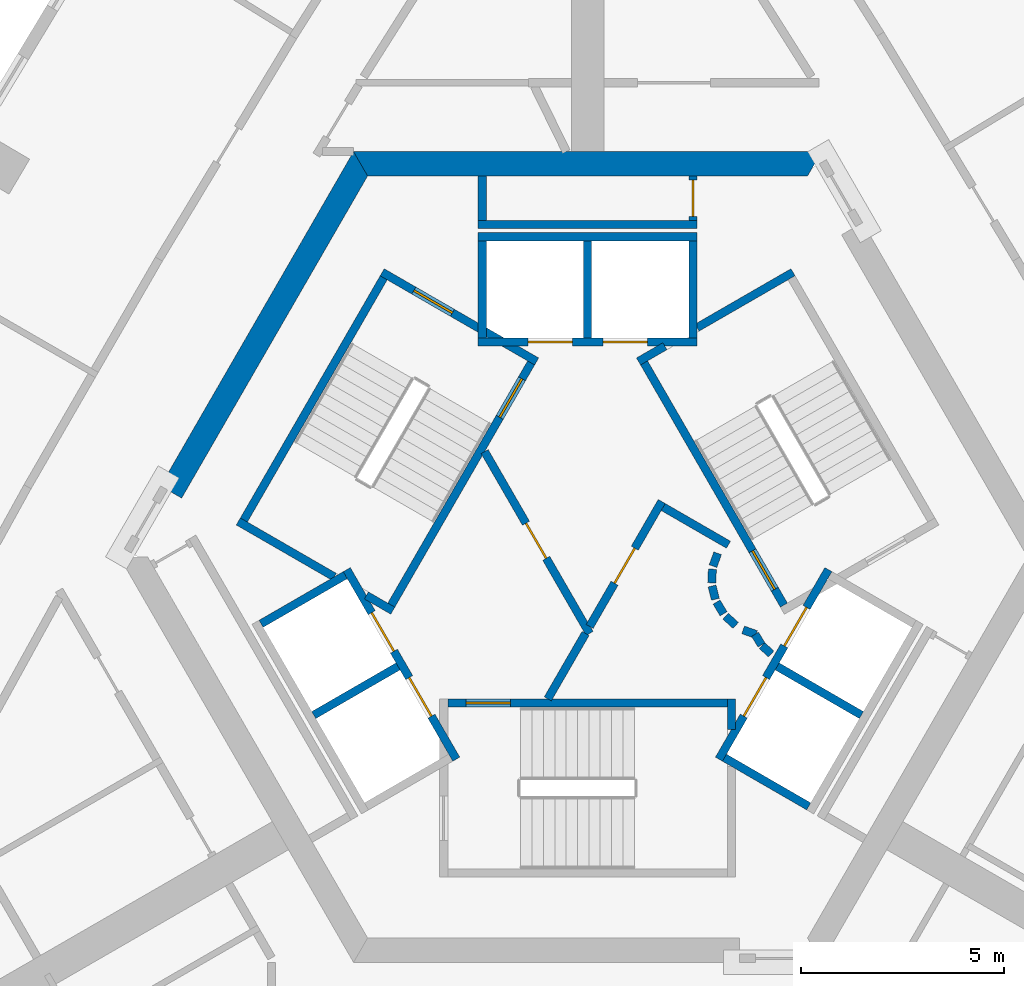
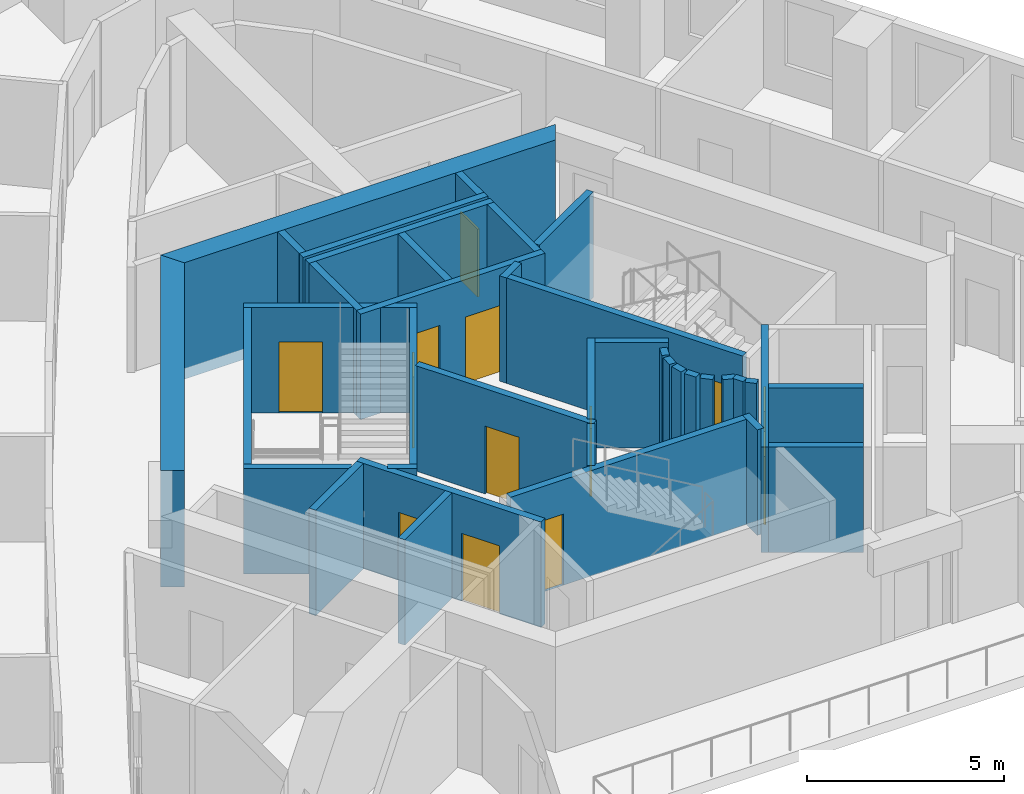
# One storey, part 5 of 11: 38 walls, 13 doors, 13 openings.
"""IFC4 building model written with IfcOpenShell, lengths in metres."""

from ifc_helpers import new_model, si_unit, direction, frame, frame_2d, origin, place, context, subcontext, project, spatial, polyline, rectangle, outline, extrude, material, layer, layer_set, type_object, element, fill, save


model = new_model("IFC4")

# Units and contexts
model_context = context("Model", 3, precision=1e-05, world=origin(), true_north=direction((0.0, 1.0)))
body_context = subcontext(model_context, "Body", "Model", "MODEL_VIEW")
ifc_project = project(units=[si_unit("LENGTHUNIT", "METRE"), si_unit("AREAUNIT", "SQUARE_METRE"), si_unit("VOLUMEUNIT", "CUBIC_METRE"), si_unit("PLANEANGLEUNIT", "RADIAN"), si_unit("MASSUNIT", "GRAM", prefix="KILO")], contexts=[model_context])

# Site, building, storey
site_placement = place(None, origin())
site = spatial("IfcSite", under=ifc_project, at=site_placement, CompositionType="ELEMENT")
building_placement = place(site_placement, origin())
building = spatial("IfcBuilding", under=site, at=building_placement, Name="Entoto Arch Interchange Tower", CompositionType="ELEMENT")
storey_placement = place(building_placement, frame((0.0, 0.0, 248.60009765625)))
storey = spatial("IfcBuildingStorey", under=building, at=storey_placement, Name="L56", CompositionType="ELEMENT", Elevation=248.60009765625)

# Walls
ifc_material_1 = material(Name="Concrete C40/50", Category="concrete")
ifc_layer_1 = layer(ifc_material_1, 0.60009765625)
ifc_layer_set_1 = layer_set([ifc_layer_1], Name="Concrete C40/50")
wall_type_1 = type_object("IfcWallType", Name="Core wall 600 C40/50", PredefinedType="SHEAR", material=ifc_layer_set_1)
wall_1_placement = place(storey_placement, frame((0.0, 0.0, -0.340087890625)))
element("IfcWall", 1, at=wall_1_placement, inside=storey, type_object=wall_type_1, Name="Core wall N L56", PredefinedType="SHEAR", context=body_context, shape_type="SweptSolid", body=[
    extrude(outline(polyline([(5.77392578125, 12.5), (-5.77392578125, 12.5), (-5.427001953125, 11.89990234375), (5.427001953125, 11.89990234375), (5.77392578125, 12.5)])), origin(), (0.0, 0.0, 1.0), 3.60009765625),
])
wall_2_placement = place(storey_placement, frame((0.0, 0.0, -0.340087890625)))
element("IfcWall", 2, at=wall_2_placement, inside=storey, type_object=wall_type_1, Name="Core wall NW L56", PredefinedType="SHEAR", context=body_context, shape_type="SweptSolid", body=[
    extrude(outline(polyline([(-10.534912109375, 4.2529296875), (-10.014892578125, 3.952880859375), (-5.427001953125, 11.89990234375), (-5.77392578125, 12.5), (-10.534912109375, 4.2529296875)])), origin(), (0.0, 0.0, 1.0), 3.60009765625),
])

# Wall, openings, doors
ifc_layer_2 = layer(ifc_material_1, 0.199951171875)
ifc_layer_set_2 = layer_set([ifc_layer_2], Name="Concrete C40/50")
wall_type_2 = type_object("IfcWallType", Name="LIFT SHAFT WALL 200", PredefinedType="STANDARD", material=ifc_layer_set_2)
wall_3_placement = place(storey_placement, frame((2.699951171875, 7.800048828125, 0.0), z_axis=(0.0, 0.0, 1.0), x_axis=(-1.0, 0.0, 0.0)))
wall_3 = element("IfcWall", 3, at=wall_3_placement, inside=storey, type_object=wall_type_2, Name="Shaft wall N1 front", PredefinedType="STANDARD", context=body_context, shape_type="SweptSolid", body=[
    extrude(rectangle(XDim=5.39990234375, YDim=0.199951171875, at=frame_2d((2.699951171875, 0.0))), origin(), (0.0, 0.0, 1.0), 3.260009765625),
])
opening_1_placement = place(wall_3_placement, frame((1.22509765625, 0.0, 0.0)))
opening_1 = element("IfcOpeningElement", 4, at=opening_1_placement, cuts=wall_3, Name="Opening LD-HR1-L56", PredefinedType="OPENING", context=body_context, shape_type="SweptSolid", body=[
    extrude(rectangle(XDim=1.10009765625, YDim=2.10009765625, at=frame_2d((0.550048828125, 1.050048828125))), frame((0.0, 0.10986328125, 0.0), z_axis=(0.0, -1.0, 0.0), x_axis=(1.0, 0.0, 0.0)), (0.0, 0.0, 1.0), 0.219970703125),
])
opening_2_placement = place(wall_3_placement, frame((3.074951171875, 0.0, 0.0)))
opening_2 = element("IfcOpeningElement", 5, at=opening_2_placement, cuts=wall_3, Name="Opening LD-HR2-L56", PredefinedType="OPENING", context=body_context, shape_type="SweptSolid", body=[
    extrude(rectangle(XDim=1.10009765625, YDim=2.10009765625, at=frame_2d((0.550048828125, 1.050048828125))), frame((0.0, 0.10986328125, 0.0), z_axis=(0.0, -1.0, 0.0), x_axis=(1.0, 0.0, 0.0)), (0.0, 0.0, 1.0), 0.219970703125),
])
ifc_material_2 = material(Name="Stainless steel 1.4301 panels", Category="steel")
door_type_1 = type_object("IfcDoorType", Name="LIFT LANDING DOOR LD1 1100x2100", OperationType="SLIDING_TO_LEFT", PredefinedType="DOOR", material=ifc_material_2)
door_1_placement = place(opening_1_placement, origin())
door_1 = element("IfcDoor", 6, at=door_1_placement, inside=storey, type_object=door_type_1, Name="Lift landing door HR1 L56", OperationType="SLIDING_TO_LEFT", OverallHeight=2.10009765625, OverallWidth=1.10009765625, PredefinedType="DOOR", context=body_context, shape_type="SweptSolid", body=[
    extrude(rectangle(XDim=1.10009765625, YDim=2.10009765625, at=frame_2d((0.550048828125, 1.050048828125))), frame((0.0, 0.02490234375, 0.0), z_axis=(0.0, -1.0, 0.0), x_axis=(1.0, 0.0, 0.0)), (0.0, 0.0, 1.0), 0.050048828125),
])
fill(opening_1, door_1)
door_2_placement = place(opening_2_placement, origin())
door_2 = element("IfcDoor", 7, at=door_2_placement, inside=storey, type_object=door_type_1, Name="Lift landing door HR2 L56", OperationType="SLIDING_TO_LEFT", OverallHeight=2.10009765625, OverallWidth=1.10009765625, PredefinedType="DOOR", context=body_context, shape_type="SweptSolid", body=[
    extrude(rectangle(XDim=1.10009765625, YDim=2.10009765625, at=frame_2d((0.550048828125, 1.050048828125))), frame((0.0, 0.02490234375, 0.0), z_axis=(0.0, -1.0, 0.0), x_axis=(1.0, 0.0, 0.0)), (0.0, 0.0, 1.0), 0.050048828125),
])
fill(opening_2, door_2)

# Walls
wall_4_placement = place(storey_placement, frame((2.699951171875, 10.39990234375, 0.0), z_axis=(0.0, 0.0, 1.0), x_axis=(-1.0, 0.0, 0.0)))
element("IfcWall", 8, at=wall_4_placement, inside=storey, type_object=wall_type_2, Name="Shaft wall N1 back", PredefinedType="STANDARD", context=body_context, shape_type="SweptSolid", body=[
    extrude(rectangle(XDim=5.39990234375, YDim=0.199951171875, at=frame_2d((2.699951171875, 0.0))), origin(), (0.0, 0.0, 1.0), 3.260009765625),
])
for number, where, z_axis, x_axis, name in (
    (9, (2.60009765625, 7.89990234375, 0.0), (0.0, 0.0, 1.0), (0.0, 1.0, 0.0), "Shaft wall N1 cross 1"),
    (10, (0.0, 7.89990234375, 0.0), (0.0, 0.0, 1.0), (0.0, 1.0, 0.0), "Shaft wall N1 cross 2"),
    (11, (-2.60009765625, 7.89990234375, 0.0), (0.0, 0.0, 1.0), (0.0, 1.0, 0.0), "Shaft wall N1 cross 3"),
):
    element("IfcWall", number, at=place(storey_placement, frame(where, z_axis=z_axis, x_axis=x_axis)), inside=storey, type_object=wall_type_2, Name=name, PredefinedType="STANDARD", context=body_context, shape_type="SweptSolid", body=[
        extrude(rectangle(XDim=2.400146484375, YDim=0.199951171875, at=frame_2d((1.2001953125, 0.0))), origin(), (0.0, 0.0, 1.0), 3.260009765625),
    ])

# Wall, openings, doors
wall_5_placement = place(storey_placement, frame((-5.93994140625, 2.18798828125, 0.0), z_axis=(0.0, 0.0, 1.0), x_axis=(0.500034260056, -0.866005622828, 0.0)))
wall_5 = element("IfcWall", 12, at=wall_5_placement, inside=storey, type_object=wall_type_2, Name="Shaft wall SW1 front", PredefinedType="STANDARD", context=body_context, shape_type="SweptSolid", body=[
    extrude(rectangle(XDim=5.3994140625, YDim=0.199951171875, at=frame_2d((2.69970703125, 0.0))), origin(), (0.0, 0.0, 1.0), 3.260009765625),
])
opening_3_placement = place(wall_5_placement, frame((3.074951171875, 0.0, 0.0)))
opening_3 = element("IfcOpeningElement", 13, at=opening_3_placement, cuts=wall_5, Name="Opening LD-HR4-L56", PredefinedType="OPENING", context=body_context, shape_type="SweptSolid", body=[
    extrude(rectangle(XDim=1.10009765625, YDim=2.10009765625, at=frame_2d((0.550048828125, 1.050048828125))), frame((0.0, 0.10986328125, 0.0), z_axis=(0.0, -1.0, 0.0), x_axis=(1.0, 0.0, 0.0)), (0.0, 0.0, 1.0), 0.219970703125),
])
opening_4_placement = place(wall_5_placement, frame((1.22509765625, 0.0, 0.0)))
opening_4 = element("IfcOpeningElement", 14, at=opening_4_placement, cuts=wall_5, Name="Opening LD-FF2-L56", PredefinedType="OPENING", context=body_context, shape_type="SweptSolid", body=[
    extrude(rectangle(XDim=1.10009765625, YDim=2.10009765625, at=frame_2d((0.550048828125, 1.050048828125))), frame((0.0, 0.10986328125, 0.0), z_axis=(0.0, -1.0, 0.0), x_axis=(1.0, 0.0, 0.0)), (0.0, 0.0, 1.0), 0.219970703125),
])
door_3_placement = place(opening_3_placement, origin())
door_3 = element("IfcDoor", 15, at=door_3_placement, inside=storey, type_object=door_type_1, Name="Lift landing door HR4 L56", OperationType="SLIDING_TO_LEFT", OverallHeight=2.10009765625, OverallWidth=1.10009765625, PredefinedType="DOOR", context=body_context, shape_type="SweptSolid", body=[
    extrude(rectangle(XDim=1.10009765625, YDim=2.10009765625, at=frame_2d((0.550048828125, 1.050048828125))), frame((0.0, 0.02490234375, 0.0), z_axis=(0.0, -1.0, 0.0), x_axis=(1.0, 0.0, 0.0)), (0.0, 0.0, 1.0), 0.050048828125),
])
fill(opening_3, door_3)
door_4_placement = place(opening_4_placement, origin())
door_4 = element("IfcDoor", 16, at=door_4_placement, inside=storey, type_object=door_type_1, Name="Lift landing door FF2 L56", OperationType="SLIDING_TO_LEFT", OverallHeight=2.10009765625, OverallWidth=1.10009765625, PredefinedType="DOOR", context=body_context, shape_type="SweptSolid", body=[
    extrude(rectangle(XDim=1.10009765625, YDim=2.10009765625, at=frame_2d((0.550048828125, 1.050048828125))), frame((0.0, 0.02490234375, 0.0), z_axis=(0.0, -1.0, 0.0), x_axis=(1.0, 0.0, 0.0)), (0.0, 0.0, 1.0), 0.050048828125),
])
fill(opening_4, door_4)

# Walls
for number, where, z_axis, x_axis, name in (
    (17, (-5.97705078125, 2.052001953125, 0.0), (0.0, 0.0, 1.0), (-0.865973769406, -0.500089422704, 0.0), "Shaft wall SW1 cross 1"),
    (18, (-4.677001953125, -0.199951171875, 0.0), (0.0, 0.0, 1.0), (-0.865973769406, -0.500089422704, 0.0), "Shaft wall SW1 cross 2"),
):
    element("IfcWall", number, at=place(storey_placement, frame(where, z_axis=z_axis, x_axis=x_axis)), inside=storey, type_object=wall_type_2, Name=name, PredefinedType="STANDARD", context=body_context, shape_type="SweptSolid", body=[
        extrude(rectangle(XDim=2.3994140625, YDim=0.199951171875, at=frame_2d((1.19970703125, 0.0))), origin(), (0.0, 0.0, 1.0), 3.260009765625),
    ])

# Wall, openings, doors
wall_6_placement = place(storey_placement, frame((3.239990234375, -2.488037109375, 0.0), z_axis=(0.0, 0.0, 1.0), x_axis=(0.500034260056, 0.866005622828, 0.0)))
wall_6 = element("IfcWall", 19, at=wall_6_placement, inside=storey, type_object=wall_type_2, Name="Shaft wall SE1 front", PredefinedType="STANDARD", context=body_context, shape_type="SweptSolid", body=[
    extrude(rectangle(XDim=5.3994140625, YDim=0.199951171875, at=frame_2d((2.69970703125, 0.0))), origin(), (0.0, 0.0, 1.0), 3.260009765625),
])
opening_5_placement = place(wall_6_placement, frame((3.22509765625, 0.0, 0.0)))
opening_5 = element("IfcOpeningElement", 20, at=opening_5_placement, cuts=wall_6, Name="Opening LD-HR3-L56", PredefinedType="OPENING", context=body_context, shape_type="SweptSolid", body=[
    extrude(rectangle(XDim=1.10009765625, YDim=2.10009765625, at=frame_2d((0.550048828125, 1.050048828125))), frame((0.0, 0.10986328125, 0.0), z_axis=(0.0, -1.0, 0.0), x_axis=(1.0, 0.0, 0.0)), (0.0, 0.0, 1.0), 0.219970703125),
])
opening_6_placement = place(wall_6_placement, frame((1.22509765625, 0.0, 0.0)))
opening_6 = element("IfcOpeningElement", 21, at=opening_6_placement, cuts=wall_6, Name="Opening LD-FF1-L56", PredefinedType="OPENING", context=body_context, shape_type="SweptSolid", body=[
    extrude(rectangle(XDim=1.10009765625, YDim=2.10009765625, at=frame_2d((0.550048828125, 1.050048828125))), frame((0.0, 0.10986328125, 0.0), z_axis=(0.0, -1.0, 0.0), x_axis=(1.0, 0.0, 0.0)), (0.0, 0.0, 1.0), 0.219970703125),
])
door_5_placement = place(opening_5_placement, origin())
door_5 = element("IfcDoor", 22, at=door_5_placement, inside=storey, type_object=door_type_1, Name="Lift landing door HR3 L56", OperationType="SLIDING_TO_LEFT", OverallHeight=2.10009765625, OverallWidth=1.10009765625, PredefinedType="DOOR", context=body_context, shape_type="SweptSolid", body=[
    extrude(rectangle(XDim=1.10009765625, YDim=2.10009765625, at=frame_2d((0.550048828125, 1.050048828125))), frame((0.0, 0.02490234375, 0.0), z_axis=(0.0, -1.0, 0.0), x_axis=(1.0, 0.0, 0.0)), (0.0, 0.0, 1.0), 0.050048828125),
])
fill(opening_5, door_5)
door_6_placement = place(opening_6_placement, origin())
door_6 = element("IfcDoor", 23, at=door_6_placement, inside=storey, type_object=door_type_1, Name="Lift landing door FF1 L56", OperationType="SLIDING_TO_LEFT", OverallHeight=2.10009765625, OverallWidth=1.10009765625, PredefinedType="DOOR", context=body_context, shape_type="SweptSolid", body=[
    extrude(rectangle(XDim=1.10009765625, YDim=2.10009765625, at=frame_2d((0.550048828125, 1.050048828125))), frame((0.0, 0.02490234375, 0.0), z_axis=(0.0, -1.0, 0.0), x_axis=(1.0, 0.0, 0.0)), (0.0, 0.0, 1.0), 0.050048828125),
])
fill(opening_6, door_6)

# Walls
wall_7_placement = place(storey_placement, frame((3.376953125, -2.451904296875, 0.0), z_axis=(0.0, 0.0, 1.0), x_axis=(0.865955154139, -0.50012165622, 0.0)))
element("IfcWall", 24, at=wall_7_placement, inside=storey, type_object=wall_type_2, Name="Shaft wall SE1 cross 1", PredefinedType="STANDARD", context=body_context, shape_type="SweptSolid", body=[
    extrude(rectangle(XDim=2.39990234375, YDim=0.199951171875, at=frame_2d((1.199951171875, 0.0))), origin(), (0.0, 0.0, 1.0), 3.260009765625),
])
wall_8_placement = place(storey_placement, frame((4.677001953125, -0.199951171875, 0.0), z_axis=(0.0, 0.0, 1.0), x_axis=(0.865973769406, -0.500089422704, 0.0)))
element("IfcWall", 25, at=wall_8_placement, inside=storey, type_object=wall_type_2, Name="Shaft wall SE1 cross 2", PredefinedType="STANDARD", context=body_context, shape_type="SweptSolid", body=[
    extrude(rectangle(XDim=2.3994140625, YDim=0.199951171875, at=frame_2d((1.19970703125, 0.0))), origin(), (0.0, 0.0, 1.0), 3.260009765625),
])
ifc_material_3 = material(Name="Gypsum board partition on steel studs", Category="steel")
ifc_layer_3 = layer(ifc_material_3, 0.199951171875)
ifc_layer_set_3 = layer_set([ifc_layer_3], Name="Gypsum board partition on steel studs")
wall_type_3 = type_object("IfcWallType", Name="PARTITION 200", PredefinedType="PARTITIONING", material=ifc_layer_set_3)
wall_9_placement = place(storey_placement, frame((-2.60009765625, 10.800048828125, 0.0), z_axis=(0.0, 0.0, 1.0), x_axis=(0.0, 1.0, 0.0)))
element("IfcWall", 26, at=wall_9_placement, inside=storey, type_object=wall_type_3, Name="wall:L56:p062", PredefinedType="PARTITIONING", context=body_context, shape_type="SweptSolid", body=[
    extrude(rectangle(XDim=1.099853515625, YDim=0.199951171875, at=frame_2d((0.5498046875, 0.0))), origin(), (0.0, 0.0, 1.0), 3.260009765625),
])

# Wall, opening, door
wall_10_placement = place(storey_placement, frame((2.60009765625, 11.89990234375, 0.0), z_axis=(0.0, 0.0, 1.0), x_axis=(0.0, -1.0, 0.0)))
wall_10 = element("IfcWall", 27, at=wall_10_placement, inside=storey, type_object=wall_type_3, Name="wall:L56:p063", PredefinedType="PARTITIONING", context=body_context, shape_type="SweptSolid", body=[
    extrude(rectangle(XDim=1.099853515625, YDim=0.199951171875, at=frame_2d((0.5498046875, 0.0))), origin(), (0.0, 0.0, 1.0), 3.260009765625),
])
opening_7_placement = place(wall_10_placement, frame((0.10009765625, 0.0, 0.0)))
opening_7 = element("IfcOpeningElement", 28, at=opening_7_placement, cuts=wall_10, Name="Opening L56-D28", PredefinedType="OPENING", context=body_context, shape_type="SweptSolid", body=[
    extrude(rectangle(XDim=0.89990234375, YDim=2.10009765625, at=frame_2d((0.449951171875, 1.050048828125))), frame((0.0, 0.10986328125, 0.0), z_axis=(0.0, -1.0, 0.0), x_axis=(1.0, 0.0, 0.0)), (0.0, 0.0, 1.0), 0.219970703125),
])
ifc_material_4 = material(Name="Timber door leaf in Steel S235 frame", Category="steel")
door_type_2 = type_object("IfcDoorType", Name="DOOR DS-09 900x2100", OperationType="SINGLE_SWING_LEFT", PredefinedType="DOOR", material=ifc_material_4)
door_7_placement = place(opening_7_placement, origin())
door_7 = element("IfcDoor", 29, at=door_7_placement, inside=storey, type_object=door_type_2, Name="door:L56:28", OperationType="SINGLE_SWING_LEFT", OverallHeight=2.10009765625, OverallWidth=0.89990234375, PredefinedType="DOOR", context=body_context, shape_type="SweptSolid", body=[
    extrude(rectangle(XDim=0.89990234375, YDim=2.10009765625, at=frame_2d((0.449951171875, 1.050048828125))), frame((0.0, 0.02490234375, 0.0), z_axis=(0.0, -1.0, 0.0), x_axis=(1.0, 0.0, 0.0)), (0.0, 0.0, 1.0), 0.050048828125),
])
fill(opening_7, door_7)

# Walls
wall_11_placement = place(storey_placement, frame((2.699951171875, 10.699951171875, 0.0), z_axis=(0.0, 0.0, 1.0), x_axis=(-1.0, 0.0, 0.0)))
element("IfcWall", 30, at=wall_11_placement, inside=storey, type_object=wall_type_3, Name="wall:L56:p064", PredefinedType="PARTITIONING", context=body_context, shape_type="SweptSolid", body=[
    extrude(rectangle(XDim=5.39990234375, YDim=0.199951171875, at=frame_2d((2.699951171875, 0.0))), origin(), (0.0, 0.0, 1.0), 3.260009765625),
])
wall_12_placement = place(storey_placement, frame((-0.98193359375, -1.0, 0.0), z_axis=(0.0, 0.0, 1.0), x_axis=(0.50024047865, 0.865886518847, 0.0)))
element("IfcWall", 31, at=wall_12_placement, inside=storey, type_object=wall_type_3, Name="wall:L56:p075", PredefinedType="PARTITIONING", context=body_context, shape_type="SweptSolid", body=[
    extrude(rectangle(XDim=1.86279296875, YDim=0.199951171875, at=frame_2d((0.931396484375, 0.0))), origin(), (0.0, 0.0, 1.0), 3.260009765625),
])

# Wall, opening, door
wall_13_placement = place(storey_placement, frame((0.050048828125, 0.787109375, 0.0), z_axis=(0.0, 0.0, 1.0), x_axis=(0.499954076797, 0.866051915934, 0.0)))
wall_13 = element("IfcWall", 32, at=wall_13_placement, inside=storey, type_object=wall_type_3, Name="wall:L56:p076", PredefinedType="PARTITIONING", context=body_context, shape_type="SweptSolid", body=[
    extrude(rectangle(XDim=3.558349609375, YDim=0.199951171875, at=frame_2d((1.779296875, 0.0))), origin(), (0.0, 0.0, 1.0), 3.260009765625),
])
opening_8_placement = place(wall_13_placement, frame((1.22900390625, 0.0, 0.0)))
opening_8 = element("IfcOpeningElement", 33, at=opening_8_placement, cuts=wall_13, Name="Opening L56-D26", PredefinedType="OPENING", context=body_context, shape_type="SweptSolid", body=[
    extrude(rectangle(XDim=1.0, YDim=2.10009765625, at=frame_2d((0.5, 1.050048828125))), frame((0.0, 0.10986328125, 0.0), z_axis=(0.0, -1.0, 0.0), x_axis=(1.0, 0.0, 0.0)), (0.0, 0.0, 1.0), 0.219970703125),
])
ifc_material_5 = material(Name="Fire-rated Steel S235 door and frame", Category="steel")
door_type_3 = type_object("IfcDoorType", Name="DOOR FD-10 1000x2100", OperationType="SINGLE_SWING_LEFT", PredefinedType="DOOR", material=ifc_material_5)
door_8_placement = place(opening_8_placement, origin())
door_8 = element("IfcDoor", 34, at=door_8_placement, inside=storey, type_object=door_type_3, Name="door:L56:26", OperationType="SINGLE_SWING_RIGHT", OverallHeight=2.10009765625, OverallWidth=1.0, PredefinedType="DOOR", context=body_context, shape_type="SweptSolid", body=[
    extrude(rectangle(XDim=1.0, YDim=2.10009765625, at=frame_2d((0.5, 1.050048828125))), frame((0.0, 0.02490234375, 0.0), z_axis=(0.0, -1.0, 0.0), x_axis=(1.0, 0.0, 0.0)), (0.0, 0.0, 1.0), 0.050048828125),
])
fill(opening_8, door_8)

# Walls
wall_14_placement = place(storey_placement, frame((1.865966796875, 3.73193359375, 0.0), z_axis=(0.0, 0.0, 1.0), x_axis=(0.866043361281, -0.499968895414, 0.0)))
element("IfcWall", 35, at=wall_14_placement, inside=storey, type_object=wall_type_3, Name="wall:L56:p077", PredefinedType="PARTITIONING", context=body_context, shape_type="SweptSolid", body=[
    extrude(rectangle(XDim=1.85791015625, YDim=0.199951171875, at=frame_2d((0.928955078125, 0.0))), origin(), (0.0, 0.0, 1.0), 3.260009765625),
])
wall_15_placement = place(storey_placement, frame((3.2080078125, 2.592041015625, 0.0), z_axis=(0.0, 0.0, 1.0), x_axis=(-0.337388820924, -0.941365382578, 0.0)))
element("IfcWall", 36, at=wall_15_placement, inside=storey, type_object=wall_type_3, Name="wall:L56:p078", PredefinedType="PARTITIONING", context=body_context, shape_type="SweptSolid", body=[
    extrude(rectangle(XDim=0.337890625, YDim=0.199951171875, at=frame_2d((0.1689453125, 0.0))), origin(), (0.0, 0.0, 1.0), 3.260009765625),
])
wall_16_placement = place(storey_placement, frame((3.0791015625, 2.198974609375, 0.0), z_axis=(0.0, 0.0, 1.0), x_axis=(-0.047771483479, -0.998858290933, 0.0)))
element("IfcWall", 37, at=wall_16_placement, inside=storey, type_object=wall_type_3, Name="wall:L56:p079", PredefinedType="PARTITIONING", context=body_context, shape_type="SweptSolid", body=[
    extrude(rectangle(XDim=0.33740234375, YDim=0.199951171875, at=frame_2d((0.168701171875, 0.0))), origin(), (0.0, 0.0, 1.0), 3.260009765625),
])
wall_17_placement = place(storey_placement, frame((3.070068359375, 1.785888671875, 0.0), z_axis=(0.0, 0.0, 1.0), x_axis=(0.242705583207, -0.970099994784, 0.0)))
element("IfcWall", 38, at=wall_17_placement, inside=storey, type_object=wall_type_3, Name="wall:L56:p080", PredefinedType="PARTITIONING", context=body_context, shape_type="SweptSolid", body=[
    extrude(rectangle(XDim=0.337890625, YDim=0.199951171875, at=frame_2d((0.1689453125, 0.0))), origin(), (0.0, 0.0, 1.0), 3.260009765625),
])
for number, where, z_axis, x_axis, name in (
    (39, (3.181884765625, 1.387939453125, 0.0), (0.0, 0.0, 1.0), (0.512474702713, -0.85870232274, 0.0), "wall:L56:p081"),
    (40, (3.404052734375, 1.0390625, 0.0), (0.0, 0.0, 1.0), (0.740267097712, -0.672312891476, 0.0), "wall:L56:p082"),
):
    element("IfcWall", number, at=place(storey_placement, frame(where, z_axis=z_axis, x_axis=x_axis)), inside=storey, type_object=wall_type_3, Name=name, PredefinedType="PARTITIONING", context=body_context, shape_type="SweptSolid", body=[
        extrude(rectangle(XDim=0.337646484375, YDim=0.199951171875, at=frame_2d((0.1689453125, 0.0))), origin(), (0.0, 0.0, 1.0), 3.260009765625),
    ])
wall_18_placement = place(storey_placement, frame((3.837890625, 0.701904296875, 0.0), z_axis=(0.0, 0.0, 1.0), x_axis=(0.941035081519, -0.338308993895, 0.0)))
element("IfcWall", 41, at=wall_18_placement, inside=storey, type_object=wall_type_3, Name="wall:L56:p083", PredefinedType="PARTITIONING", context=body_context, shape_type="SweptSolid", body=[
    extrude(rectangle(XDim=0.3369140625, YDim=0.199951171875, at=frame_2d((0.16845703125, 0.0))), origin(), (0.0, 0.0, 1.0), 3.260009765625),
])
wall_19_placement = place(storey_placement, frame((4.132080078125, 0.593017578125, 0.0), z_axis=(0.0, 0.0, 1.0), x_axis=(0.513561617048, -0.858052717201, 0.0)))
element("IfcWall", 42, at=wall_19_placement, inside=storey, type_object=wall_type_3, Name="wall:L56:p084", PredefinedType="PARTITIONING", context=body_context, shape_type="SweptSolid", body=[
    extrude(rectangle(XDim=0.3076171875, YDim=0.199951171875, at=frame_2d((0.15380859375, 0.0))), origin(), (0.0, 0.0, 1.0), 3.260009765625),
])
wall_20_placement = place(storey_placement, frame((4.301025390625, 0.31494140625, 0.0), z_axis=(0.0, 0.0, 1.0), x_axis=(0.741798017506, -0.670623367639, 0.0)))
element("IfcWall", 43, at=wall_20_placement, inside=storey, type_object=wall_type_3, Name="wall:L56:p085", PredefinedType="PARTITIONING", context=body_context, shape_type="SweptSolid", body=[
    extrude(rectangle(XDim=0.30859375, YDim=0.199951171875, at=frame_2d((0.154296875, 0.0))), origin(), (0.0, 0.0, 1.0), 3.260009765625),
])

# Wall, opening, door
wall_21_placement = place(storey_placement, frame((-2.5400390625, 5.10009765625, 0.0), z_axis=(0.0, 0.0, 1.0), x_axis=(0.499925051871, -0.866068670783, 0.0)))
wall_21 = element("IfcWall", 44, at=wall_21_placement, inside=storey, type_object=wall_type_3, Name="wall:L56:p086", PredefinedType="PARTITIONING", context=body_context, shape_type="SweptSolid", body=[
    extrude(rectangle(XDim=5.180908203125, YDim=0.199951171875, at=frame_2d((2.59033203125, 0.0))), origin(), (0.0, 0.0, 1.0), 3.260009765625),
])
opening_9_placement = place(wall_21_placement, frame((2.0400390625, 0.0, 0.0)))
opening_9 = element("IfcOpeningElement", 45, at=opening_9_placement, cuts=wall_21, Name="Opening L56-D27", PredefinedType="OPENING", context=body_context, shape_type="SweptSolid", body=[
    extrude(rectangle(XDim=1.0, YDim=2.10009765625, at=frame_2d((0.5, 1.050048828125))), frame((0.0, 0.10986328125, 0.0), z_axis=(0.0, -1.0, 0.0), x_axis=(1.0, 0.0, 0.0)), (0.0, 0.0, 1.0), 0.219970703125),
])
door_9_placement = place(opening_9_placement, origin())
door_9 = element("IfcDoor", 46, at=door_9_placement, inside=storey, type_object=door_type_3, Name="door:L56:27", OperationType="SINGLE_SWING_RIGHT", OverallHeight=2.10009765625, OverallWidth=1.0, PredefinedType="DOOR", context=body_context, shape_type="SweptSolid", body=[
    extrude(rectangle(XDim=1.0, YDim=2.10009765625, at=frame_2d((0.5, 1.050048828125))), frame((0.0, 0.02490234375, 0.0), z_axis=(0.0, -1.0, 0.0), x_axis=(1.0, 0.0, 0.0)), (0.0, 0.0, 1.0), 0.050048828125),
])
fill(opening_9, door_9)

# Wall
ifc_layer_4 = layer(ifc_material_1, 0.199951171875)
ifc_layer_set_4 = layer_set([ifc_layer_4], Name="Concrete C40/50")
wall_type_4 = type_object("IfcWallType", Name="STAIR ENCLOSURE WALL 200", PredefinedType="STANDARD", material=ifc_layer_set_4)
wall_22_placement = place(storey_placement, frame((3.550048828125, -1.0, 0.0), z_axis=(0.0, 0.0, 1.0), x_axis=(0.0, -1.0, 0.0)))
element("IfcWall", 47, at=wall_22_placement, inside=storey, type_object=wall_type_4, Name="Stair wall ST-S far return", PredefinedType="STANDARD", context=body_context, shape_type="SweptSolid", body=[
    extrude(rectangle(XDim=0.7509765625, YDim=0.199951171875, at=frame_2d((0.37548828125, 0.0))), origin(), (0.0, 0.0, 1.0), 3.260009765625),
])

# Wall, opening, door
wall_23_placement = place(storey_placement, frame((-3.449951171875, -1.10009765625, 0.0), z_axis=(0.0, 0.0, 1.0), x_axis=(1.0, 0.0, 0.0)))
wall_23 = element("IfcWall", 48, at=wall_23_placement, inside=storey, type_object=wall_type_4, Name="Stair wall ST-S hall", PredefinedType="STANDARD", context=body_context, shape_type="SweptSolid", body=[
    extrude(rectangle(XDim=6.89990234375, YDim=0.199951171875, at=frame_2d((3.449951171875, 0.0))), origin(), (0.0, 0.0, 1.0), 3.260009765625),
])
opening_10_placement = place(wall_23_placement, frame((0.449951171875, 0.0, 0.0)))
opening_10 = element("IfcOpeningElement", 49, at=opening_10_placement, cuts=wall_23, Name="Opening SD-ST-S-L56", PredefinedType="OPENING", context=body_context, shape_type="SweptSolid", body=[
    extrude(rectangle(XDim=1.10009765625, YDim=2.199951171875, at=frame_2d((0.550048828125, 1.10009765625))), frame((0.0, 0.10986328125, 0.0), z_axis=(0.0, -1.0, 0.0), x_axis=(1.0, 0.0, 0.0)), (0.0, 0.0, 1.0), 0.219970703125),
])
ifc_material_6 = material(Name="Steel S235", Category="steel")
door_type_4 = type_object("IfcDoorType", Name="STAIR DOOR SD1 1100x2200", OperationType="SINGLE_SWING_LEFT", PredefinedType="DOOR", material=ifc_material_6)
door_10_placement = place(opening_10_placement, origin())
door_10 = element("IfcDoor", 50, at=door_10_placement, inside=storey, type_object=door_type_4, Name="Stair door ST-S L56", OperationType="SINGLE_SWING_LEFT", OverallHeight=2.199951171875, OverallWidth=1.10009765625, PredefinedType="DOOR", context=body_context, shape_type="SweptSolid", body=[
    extrude(rectangle(XDim=1.10009765625, YDim=2.199951171875, at=frame_2d((0.550048828125, 1.10009765625))), frame((0.0, 0.02490234375, 0.0), z_axis=(0.0, -1.0, 0.0), x_axis=(1.0, 0.0, 0.0)), (0.0, 0.0, 1.0), 0.050048828125),
])
fill(opening_10, door_10)

# Walls
wall_24_placement = place(storey_placement, frame((2.699951171875, 8.157958984375, 0.0), z_axis=(0.0, 0.0, 1.0), x_axis=(0.86611865017, 0.499838457731, 0.0)))
element("IfcWall", 51, at=wall_24_placement, inside=storey, type_object=wall_type_4, Name="Stair wall ST-NE far", PredefinedType="STANDARD", context=body_context, shape_type="SweptSolid", body=[
    extrude(rectangle(XDim=2.73291015625, YDim=0.199951171875, at=frame_2d((1.366455078125, 0.0))), origin(), (0.0, 0.0, 1.0), 3.260009765625),
])
wall_25_placement = place(storey_placement, frame((1.256103515625, 7.323974609375, 0.0), z_axis=(0.0, 0.0, 1.0), x_axis=(0.865915093549, 0.500191014278, 0.0)))
element("IfcWall", 52, at=wall_25_placement, inside=storey, type_object=wall_type_4, Name="Stair wall ST-NE far return", PredefinedType="STANDARD", context=body_context, shape_type="SweptSolid", body=[
    extrude(rectangle(XDim=0.751708984375, YDim=0.199951171875, at=frame_2d((0.3759765625, 0.0))), origin(), (0.0, 0.0, 1.0), 3.260009765625),
])

# Wall, opening, door
wall_26_placement = place(storey_placement, frame((4.843017578125, 1.31201171875, 0.0), z_axis=(0.0, 0.0, 1.0), x_axis=(-0.499963383562, 0.866046543262, 0.0)))
wall_26 = element("IfcWall", 53, at=wall_26_placement, inside=storey, type_object=wall_type_4, Name="Stair wall ST-NE hall", PredefinedType="STANDARD", context=body_context, shape_type="SweptSolid", body=[
    extrude(rectangle(XDim=6.900390625, YDim=0.199951171875, at=frame_2d((3.4501953125, 0.0))), origin(), (0.0, 0.0, 1.0), 3.260009765625),
])
opening_11_placement = place(wall_26_placement, frame((0.449951171875, 0.0, 0.0)))
opening_11 = element("IfcOpeningElement", 54, at=opening_11_placement, cuts=wall_26, Name="Opening SD-ST-NE-L56", PredefinedType="OPENING", context=body_context, shape_type="SweptSolid", body=[
    extrude(rectangle(XDim=1.10009765625, YDim=2.199951171875, at=frame_2d((0.550048828125, 1.10009765625))), frame((0.0, 0.10986328125, 0.0), z_axis=(0.0, -1.0, 0.0), x_axis=(1.0, 0.0, 0.0)), (0.0, 0.0, 1.0), 0.219970703125),
])
door_11_placement = place(opening_11_placement, origin())
door_11 = element("IfcDoor", 55, at=door_11_placement, inside=storey, type_object=door_type_4, Name="Stair door ST-NE L56", OperationType="SINGLE_SWING_LEFT", OverallHeight=2.199951171875, OverallWidth=1.10009765625, PredefinedType="DOOR", context=body_context, shape_type="SweptSolid", body=[
    extrude(rectangle(XDim=1.10009765625, YDim=2.199951171875, at=frame_2d((0.550048828125, 1.10009765625))), frame((0.0, 0.02490234375, 0.0), z_axis=(0.0, -1.0, 0.0), x_axis=(1.0, 0.0, 0.0)), (0.0, 0.0, 1.0), 0.050048828125),
])
fill(opening_11, door_11)

wall_27_placement = place(storey_placement, frame((-1.256103515625, 7.323974609375, 0.0), z_axis=(0.0, 0.0, 1.0), x_axis=(-0.866046073146, 0.499964197906, 0.0)))
wall_27 = element("IfcWall", 56, at=wall_27_placement, inside=storey, type_object=wall_type_4, Name="Stair wall ST-NW near", PredefinedType="STANDARD", context=body_context, shape_type="SweptSolid", body=[
    extrude(rectangle(XDim=4.400146484375, YDim=0.199951171875, at=frame_2d((2.2001953125, 0.0))), origin(), (0.0, 0.0, 1.0), 3.260009765625),
])
opening_12_placement = place(wall_27_placement, frame((2.39990234375, 0.0, 0.0)))
opening_12 = element("IfcOpeningElement", 57, at=opening_12_placement, cuts=wall_27, Name="Opening SD-ST-NW-L56-E", PredefinedType="OPENING", context=body_context, shape_type="SweptSolid", body=[
    extrude(rectangle(XDim=1.10009765625, YDim=2.199951171875, at=frame_2d((0.550048828125, 1.10009765625))), frame((0.0, 0.10986328125, 0.0), z_axis=(0.0, -1.0, 0.0), x_axis=(1.0, 0.0, 0.0)), (0.0, 0.0, 1.0), 0.219970703125),
])
door_12_placement = place(opening_12_placement, origin())
door_12 = element("IfcDoor", 58, at=door_12_placement, inside=storey, type_object=door_type_4, Name="Stair door ST-NW L56 end", OperationType="SINGLE_SWING_LEFT", OverallHeight=2.199951171875, OverallWidth=1.10009765625, PredefinedType="DOOR", context=body_context, shape_type="SweptSolid", body=[
    extrude(rectangle(XDim=1.10009765625, YDim=2.199951171875, at=frame_2d((0.550048828125, 1.10009765625))), frame((0.0, 0.02490234375, 0.0), z_axis=(0.0, -1.0, 0.0), x_axis=(1.0, 0.0, 0.0)), (0.0, 0.0, 1.0), 0.050048828125),
])
fill(opening_12, door_12)

# Walls
wall_28_placement = place(storey_placement, frame((-6.25, 2.010009765625, 0.0), z_axis=(0.0, 0.0, 1.0), x_axis=(-0.86611865017, 0.499838457731, 0.0)))
element("IfcWall", 59, at=wall_28_placement, inside=storey, type_object=wall_type_4, Name="Stair wall ST-NW far", PredefinedType="STANDARD", context=body_context, shape_type="SweptSolid", body=[
    extrude(rectangle(XDim=2.73291015625, YDim=0.199951171875, at=frame_2d((1.366455078125, 0.0))), origin(), (0.0, 0.0, 1.0), 3.260009765625),
])
wall_29_placement = place(storey_placement, frame((-4.805908203125, 1.176025390625, 0.0), z_axis=(0.0, 0.0, 1.0), x_axis=(-0.866558586415, 0.499075361355, 0.0)))
element("IfcWall", 60, at=wall_29_placement, inside=storey, type_object=wall_type_4, Name="Stair wall ST-NW far return", PredefinedType="STANDARD", context=body_context, shape_type="SweptSolid", body=[
    extrude(rectangle(XDim=0.75146484375, YDim=0.199951171875, at=frame_2d((0.375732421875, 0.0))), origin(), (0.0, 0.0, 1.0), 3.260009765625),
])

# Wall, opening, door
wall_30_placement = place(storey_placement, frame((-1.39306640625, 7.2880859375, 0.0), z_axis=(0.0, 0.0, 1.0), x_axis=(-0.499963383562, -0.866046543262, 0.0)))
wall_30 = element("IfcWall", 61, at=wall_30_placement, inside=storey, type_object=wall_type_4, Name="Stair wall ST-NW hall", PredefinedType="STANDARD", context=body_context, shape_type="SweptSolid", body=[
    extrude(rectangle(XDim=6.900390625, YDim=0.199951171875, at=frame_2d((3.4501953125, 0.0))), origin(), (0.0, 0.0, 1.0), 3.260009765625),
])
opening_13_placement = place(wall_30_placement, frame((0.449951171875, 0.0, 0.0)))
opening_13 = element("IfcOpeningElement", 62, at=opening_13_placement, cuts=wall_30, Name="Opening SD-ST-NW-L56", PredefinedType="OPENING", context=body_context, shape_type="SweptSolid", body=[
    extrude(rectangle(XDim=1.10009765625, YDim=2.199951171875, at=frame_2d((0.550048828125, 1.10009765625))), frame((0.0, 0.10986328125, 0.0), z_axis=(0.0, -1.0, 0.0), x_axis=(1.0, 0.0, 0.0)), (0.0, 0.0, 1.0), 0.219970703125),
])
door_13_placement = place(opening_13_placement, origin())
door_13 = element("IfcDoor", 63, at=door_13_placement, inside=storey, type_object=door_type_4, Name="Stair door ST-NW L56", OperationType="SINGLE_SWING_LEFT", OverallHeight=2.199951171875, OverallWidth=1.10009765625, PredefinedType="DOOR", context=body_context, shape_type="SweptSolid", body=[
    extrude(rectangle(XDim=1.10009765625, YDim=2.199951171875, at=frame_2d((0.550048828125, 1.10009765625))), frame((0.0, 0.02490234375, 0.0), z_axis=(0.0, -1.0, 0.0), x_axis=(1.0, 0.0, 0.0)), (0.0, 0.0, 1.0), 0.050048828125),
])
fill(opening_13, door_13)

# Wall
wall_31_placement = place(storey_placement, frame((-5.030029296875, 9.387939453125, 0.0), z_axis=(0.0, 0.0, 1.0), x_axis=(-0.499978703459, -0.866037698999, 0.0)))
element("IfcWall", 64, at=wall_31_placement, inside=storey, type_object=wall_type_4, Name="Stair wall ST-NW back", PredefinedType="STANDARD", context=body_context, shape_type="SweptSolid", body=[
    extrude(rectangle(XDim=6.900146484375, YDim=0.199951171875, at=frame_2d((3.4501953125, 0.0))), origin(), (0.0, 0.0, 1.0), 3.260009765625),
])

save(model, "model.ifc")
